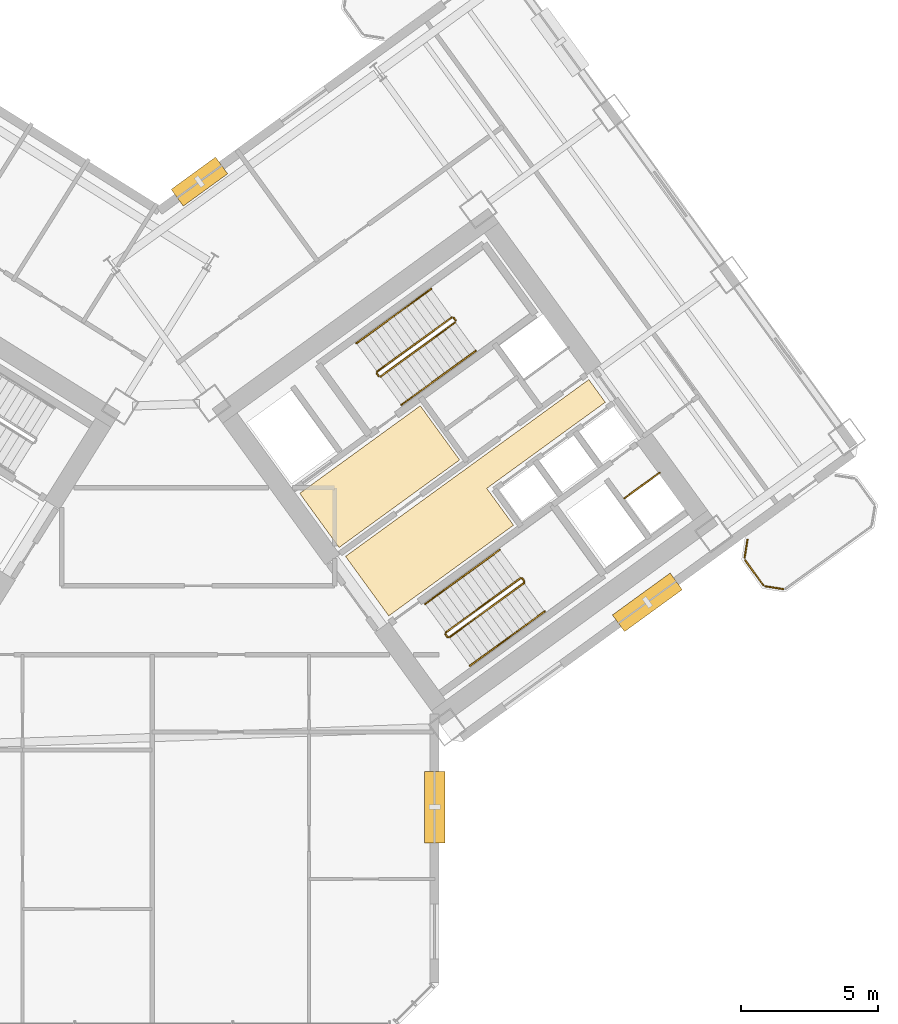
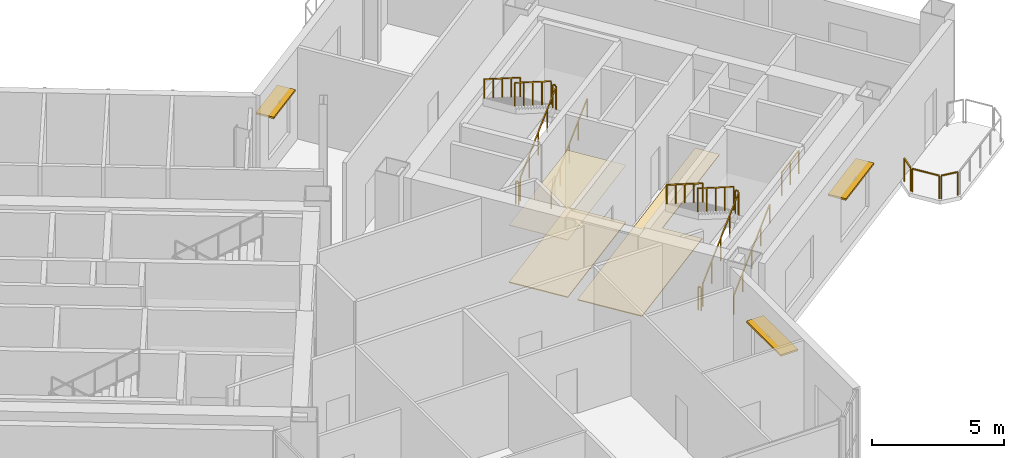
# One storey, part 18 of 19: 20 railings, 3 coverings, 3 shading devices.
"""IFC4 building model written with IfcOpenShell, lengths in metres."""

from ifc_helpers import new_model, si_unit, direction, frame, origin, origin_2d, place, context, subcontext, project, spatial, polyline, rectangle, outline, extrude, source, transform, mapped, material, layer, layer_set, type_object, element, save


model = new_model("IFC4")

# Units and contexts
model_context = context("Model", 3, precision=1e-05, world=origin(), true_north=direction((0.0, 1.0)))
body_context = subcontext(model_context, "Body", "Model", "MODEL_VIEW")
ifc_project = project(units=[si_unit("LENGTHUNIT", "METRE"), si_unit("AREAUNIT", "SQUARE_METRE"), si_unit("VOLUMEUNIT", "CUBIC_METRE"), si_unit("PLANEANGLEUNIT", "RADIAN"), si_unit("MASSUNIT", "GRAM", prefix="KILO")], contexts=[model_context])

# Site, building, storey
site_placement = place(None, origin())
site = spatial("IfcSite", under=ifc_project, at=site_placement, CompositionType="ELEMENT")
building_placement = place(site_placement, origin())
building = spatial("IfcBuilding", under=site, at=building_placement, Name="Tlacorven Tower", CompositionType="ELEMENT")
storey_placement = place(building_placement, frame((0.0, 0.0, 76.5)))
storey = spatial("IfcBuildingStorey", under=building, at=storey_placement, Name="L19", CompositionType="ELEMENT", Elevation=76.5)

# Coverings
ifc_material_1 = material(Name="Acoustic mineral-fibre ceiling")
ifc_layer_1 = layer(ifc_material_1, 0.02490234375)
ifc_layer_set_1 = layer_set([ifc_layer_1], Name="Acoustic mineral-fibre ceiling")
covering_type_1 = type_object("IfcCoveringType", Name="CV-CLG-ACST", PredefinedType="CEILING", material=ifc_layer_set_1)
covering_1_placement = place(storey_placement, frame((0.0, 0.0, 2.64990234375)))
element("IfcCovering", 1, at=covering_1_placement, inside=storey, type_object=covering_type_1, Name="L19 Acoustic Suspended Ceiling 3", PredefinedType="CEILING", context=body_context, shape_type="SweptSolid", body=[
    extrude(outline(polyline([(48.760498046875, 19.326171875), (47.326171875, 21.300048828125), (51.71923828125, 24.49169921875), (53.1533203125, 22.517822265625), (48.760498046875, 19.326171875)])), origin(), (0.0, 0.0, 1.0), 0.025146484375),
])
ifc_material_2 = material(Name="Terrazzo and ceramic flooring")
ifc_layer_2 = layer(ifc_material_2, 0.0400390625)
ifc_layer_set_2 = layer_set([ifc_layer_2], Name="Terrazzo and ceramic flooring")
covering_type_2 = type_object("IfcCoveringType", Name="CV-FLR-TERZ", PredefinedType="FLOORING", material=ifc_layer_set_2)
covering_2_placement = place(storey_placement, origin())
element("IfcCovering", 2, at=covering_2_placement, inside=storey, type_object=covering_type_2, Name="L19 Terrazzo Floor Finish 3", PredefinedType="FLOORING", context=body_context, shape_type="SweptSolid", body=[
    extrude(outline(polyline([(48.760498046875, 19.326171875), (47.326171875, 21.300048828125), (51.71923828125, 24.49169921875), (53.1533203125, 22.517822265625), (48.760498046875, 19.326171875)])), origin(), (0.0, 0.0, 1.0), 0.0400390625),
])
covering_3_placement = place(storey_placement, origin())
element("IfcCovering", 3, at=covering_3_placement, inside=storey, type_object=covering_type_2, Name="L19 Terrazzo Floor Finish 4", PredefinedType="FLOORING", context=body_context, shape_type="SweptSolid", body=[
    extrude(outline(polyline([(50.57080078125, 16.834228515625), (48.99560546875, 19.00244140625), (57.8623046875, 25.444580078125), (58.4619140625, 24.619384765625), (54.141845703125, 21.480712890625), (55.117431640625, 20.1376953125), (50.57080078125, 16.834228515625)])), origin(), (0.0, 0.0, 1.0), 0.0400390625),
])

# Railings
ifc_material_3 = material(Name="Aluminium and painted steel balustrade", Category="steel")
railing_type_1 = type_object("IfcRailingType", Name="RL-GRD-1100", PredefinedType="GUARDRAIL", material=ifc_material_3)
shared_shape_1 = source(origin(), body_context, "Body", "SweptSolid", [
    extrude(rectangle(XDim=0.048095703125, YDim=0.048095703125, at=origin_2d()), frame((0.0, 0.0, 1.076171875), z_axis=(0.809029975545, 0.58776738483, 0.0), x_axis=(-0.58776738483, 0.809029975545, 0.0)), (0.0, 0.0, 1.0), 1.580078125),
    extrude(rectangle(XDim=0.0419921875, YDim=0.0419921875, at=origin_2d()), origin(), (0.0, 0.0, 1.0), 1.052001953125),
    extrude(rectangle(XDim=0.0419921875, YDim=0.0419921875, at=origin_2d()), frame((0.63916015625, 0.46435546875, 0.0)), (0.0, 0.0, 1.0), 1.052001953125),
    extrude(rectangle(XDim=0.0419921875, YDim=0.0419921875, at=origin_2d()), frame((1.2783203125, 0.9287109375, 0.0)), (0.0, 0.0, 1.0), 1.052001953125),
])
railing_1_placement = place(storey_placement, frame((59.160888671875, 21.122314453125, 0.0)))
element("IfcRailing", 4, at=railing_1_placement, inside=storey, type_object=railing_type_1, Name="L19 Smoke Riser E Shaft Guard 1", PredefinedType="GUARDRAIL", context=body_context, shape_type="MappedRepresentation", body=[
    mapped(shared_shape_1, transform((0.0, 0.0, 0.0), scale=1.0)),
])
railing_type_2 = type_object("IfcRailingType", Name="RL-BAL-1100", PredefinedType="BALUSTRADE", material=ifc_material_3)
shared_shape_2 = source(origin(), body_context, "Body", "SweptSolid", [
    extrude(rectangle(XDim=0.048095703125, YDim=0.048095703125, at=origin_2d()), frame((0.0, 0.0, 1.076171875), z_axis=(0.156602868908, 0.987661653326, 0.0), x_axis=(-0.987661653326, 0.156602868908, 0.0)), (0.0, 0.0, 1.0), 0.665771484375),
    extrude(rectangle(XDim=0.0419921875, YDim=0.0419921875, at=origin_2d()), origin(), (0.0, 0.0, 1.0), 1.052001953125),
    extrude(rectangle(XDim=0.0419921875, YDim=0.0419921875, at=origin_2d()), frame((0.104248046875, 0.657470703125, 0.0)), (0.0, 0.0, 1.0), 1.052001953125),
])
railing_2_placement = place(storey_placement, frame((63.539306640625, 18.949951171875, 0.0)))
element("IfcRailing", 5, at=railing_2_placement, inside=storey, type_object=railing_type_2, Name="BAL-L19-E-OUT Guard Railing 3", PredefinedType="BALUSTRADE", context=body_context, shape_type="MappedRepresentation", body=[
    mapped(shared_shape_2, transform((0.0, 0.0, 0.0), scale=1.0)),
])
shared_shape_3 = source(origin(), body_context, "Body", "SweptSolid", [
    extrude(rectangle(XDim=0.048095703125, YDim=0.048095703125, at=origin_2d()), frame((0.0, 0.0, 1.076171875), z_axis=(-0.987718317463, 0.156245081039, 0.0), x_axis=(-0.156245081039, -0.987718317463, 0.0)), (0.0, 0.0, 1.0), 0.66552734375),
    extrude(rectangle(XDim=0.0419921875, YDim=0.0419921875, at=origin_2d()), origin(), (0.0, 0.0, 1.0), 1.052001953125),
    extrude(rectangle(XDim=0.0419921875, YDim=0.0419921875, at=origin_2d()), frame((-0.657470703125, 0.10400390625, 0.0)), (0.0, 0.0, 1.0), 1.052001953125),
])
railing_3_placement = place(storey_placement, frame((64.950927734375, 17.80810546875, 0.0)))
element("IfcRailing", 6, at=railing_3_placement, inside=storey, type_object=railing_type_2, Name="BAL-L19-E-OUT Guard Railing 1", PredefinedType="BALUSTRADE", context=body_context, shape_type="MappedRepresentation", body=[
    mapped(shared_shape_3, transform((0.0, 0.0, 0.0), scale=1.0)),
])
shared_shape_4 = source(origin(), body_context, "Body", "SweptSolid", [
    extrude(rectangle(XDim=0.048095703125, YDim=0.048095703125, at=origin_2d()), frame((0.0, 0.0, 1.076171875), z_axis=(-0.587740817519, 0.809049276263, 0.0), x_axis=(-0.809049276263, -0.587740817519, 0.0)), (0.0, 0.0, 1.0), 1.112060546875),
    extrude(rectangle(XDim=0.0419921875, YDim=0.0419921875, at=origin_2d()), origin(), (0.0, 0.0, 1.0), 1.052001953125),
    extrude(rectangle(XDim=0.0419921875, YDim=0.0419921875, at=origin_2d()), frame((-0.653564453125, 0.899658203125, 0.0)), (0.0, 0.0, 1.0), 1.052001953125),
])
railing_4_placement = place(storey_placement, frame((64.214599609375, 17.96044921875, 0.0)))
element("IfcRailing", 7, at=railing_4_placement, inside=storey, type_object=railing_type_2, Name="BAL-L19-E-OUT Guard Railing 2", PredefinedType="BALUSTRADE", context=body_context, shape_type="MappedRepresentation", body=[
    mapped(shared_shape_4, transform((0.0, 0.0, 0.0), scale=1.0)),
])

# Shading devices
ifc_material_4 = material(Name="Anodised bronze aluminium sunshade", Category="aluminium")
ifc_layer_3 = layer(ifc_material_4, 0.080078125)
ifc_layer_set_3 = layer_set([ifc_layer_3], Name="Anodised bronze aluminium sunshade")
shading_device_type = type_object("IfcShadingDeviceType", Name="SH-SUN-BRZ", PredefinedType="AWNING", material=ifc_layer_set_3)
shared_shape_5 = source(origin(), body_context, "Body", "SweptSolid", [
    extrude(rectangle(XDim=2.60009765625, YDim=0.75, at=origin_2d()), origin(), (0.0, 0.0, 1.0), 0.080078125),
])
for number, where, z_axis, x_axis, name in (
    (8, (59.995361328125, 17.328369140625, 2.719970703125), (0.0, 0.0, 1.0), (-0.809016829126, -0.587785479738, 0.0), "L19 Solar Brise-Soleil Sunshade L19-06.1"),
    (9, (52.239990234375, 9.861572265625, 2.719970703125), (0.0, 0.0, 1.0), (0.0, -1.0, 0.0), "L19 Solar Brise-Soleil Sunshade L19-07.1"),
):
    element("IfcShadingDevice", number, at=place(storey_placement, frame(where, z_axis=z_axis, x_axis=x_axis)), inside=storey, type_object=shading_device_type, Name=name, PredefinedType="AWNING", context=body_context, shape_type="MappedRepresentation", body=[
        mapped(shared_shape_5, transform((0.0, 0.0, 0.0), scale=1.0)),
    ])
shared_shape_6 = source(origin(), body_context, "Body", "SweptSolid", [
    extrude(rectangle(XDim=2.0, YDim=0.75, at=origin_2d()), origin(), (0.0, 0.0, 1.0), 0.080078125),
])
shading_device_placement = place(storey_placement, frame((43.6708984375, 32.661376953125, 2.719970703125), z_axis=(0.0, 0.0, 1.0), x_axis=(0.809016703631, 0.587785652468, 0.0)))
element("IfcShadingDevice", 10, at=shading_device_placement, inside=storey, type_object=shading_device_type, Name="L19 Solar Brise-Soleil Sunshade L19-04.1", PredefinedType="AWNING", context=body_context, shape_type="MappedRepresentation", body=[
    mapped(shared_shape_6, transform((0.0, 0.0, 0.0), scale=1.0)),
])

# Railings
shared_shape_7 = source(origin(), body_context, "Body", "SweptSolid", [
    extrude(rectangle(XDim=0.048095703125, YDim=0.048095703125, at=origin_2d()), frame((0.0, 0.0, 1.076171875), z_axis=(-0.587567097037, 0.809175448515, 0.0), x_axis=(-0.809175448515, -0.587567097037, 0.0)), (0.0, 0.0, 1.0), 0.1201171875),
    extrude(rectangle(XDim=0.0419921875, YDim=0.0419921875, at=origin_2d()), origin(), (0.0, 0.0, 1.0), 1.052001953125),
    extrude(rectangle(XDim=0.0419921875, YDim=0.0419921875, at=origin_2d()), frame((-0.070556640625, 0.09716796875, 0.0)), (0.0, 0.0, 1.0), 1.052001953125),
])
for number, where, name in (
    (11, (53.006591796875, 27.6025390625, 2.25), "L19 ST-E1 stair guard 2"),
    (12, (55.510498046875, 18.099365234375, 2.25), "L19 ST-E2 stair guard 2"),
    (13, (52.71142578125, 16.065673828125, 0.0), "L19 ST-E2 stair guard 4"),
):
    element("IfcRailing", number, at=place(storey_placement, frame(where)), inside=storey, type_object=railing_type_1, Name=name, PredefinedType="GUARDRAIL", context=body_context, shape_type="MappedRepresentation", body=[
        mapped(shared_shape_7, transform((0.0, 0.0, 0.0), scale=1.0)),
    ])
shared_shape_8 = source(origin(), body_context, "Body", "SweptSolid", [
    extrude(rectangle(XDim=0.048095703125, YDim=0.048095703125, at=origin_2d()), frame((0.0, 0.0, 1.076171875), z_axis=(-0.587201422542, 0.809440849824, 0.0), x_axis=(-0.809440849824, -0.587201422542, 0.0)), (0.0, 0.0, 1.0), 0.11962890625),
    extrude(rectangle(XDim=0.0419921875, YDim=0.0419921875, at=origin_2d()), origin(), (0.0, 0.0, 1.0), 1.052001953125),
    extrude(rectangle(XDim=0.0419921875, YDim=0.0419921875, at=origin_2d()), frame((-0.0703125, 0.096923828125, 0.0)), (0.0, 0.0, 1.0), 1.052001953125),
])
railing_5_placement = place(storey_placement, frame((50.207275390625, 25.56884765625, 0.0)))
element("IfcRailing", 14, at=railing_5_placement, inside=storey, type_object=railing_type_1, Name="L19 ST-E1 stair guard 4", PredefinedType="GUARDRAIL", context=body_context, shape_type="MappedRepresentation", body=[
    mapped(shared_shape_8, transform((0.0, 0.0, 0.0), scale=1.0)),
])
shared_shape_9 = source(origin(), body_context, "Body", "SweptSolid", [
    extrude(rectangle(XDim=0.048095703125, YDim=0.048095703125, at=origin_2d()), frame((0.0, 0.0, 1.076171875), z_axis=(0.688166980386, 0.499962520599, 0.525798141023), x_axis=(-0.587769819143, 0.809028206989, 0.0)), (0.0, 0.0, 1.0), 3.949951171875),
    extrude(rectangle(XDim=0.0419921875, YDim=0.0419921875, at=origin_2d()), origin(), (0.0, 0.0, 1.0), 1.052001953125),
    extrude(rectangle(XDim=0.0419921875, YDim=0.0419921875, at=origin_2d()), frame((0.6796875, 0.49365234375, 0.519287109375)), (0.0, 0.0, 1.0), 1.052001953125),
    extrude(rectangle(XDim=0.0419921875, YDim=0.0419921875, at=origin_2d()), frame((1.359130859375, 0.9873046875, 1.03857421875)), (0.0, 0.0, 1.0), 1.052001953125),
    extrude(rectangle(XDim=0.0419921875, YDim=0.0419921875, at=origin_2d()), frame((2.03857421875, 1.481201171875, 1.5576171875)), (0.0, 0.0, 1.0), 1.052001953125),
    extrude(rectangle(XDim=0.0419921875, YDim=0.0419921875, at=origin_2d()), frame((2.71826171875, 1.974853515625, 2.076904296875)), (0.0, 0.0, 1.0), 1.052001953125),
])
for number, where, name in (
    (15, (50.27734375, 25.557861328125, 0.173095703125), "L19 ST-E1 stair guard 1"),
    (16, (52.78125, 16.0546875, 0.173095703125), "L19 ST-E2 stair guard 1"),
):
    element("IfcRailing", number, at=place(storey_placement, frame(where)), inside=storey, type_object=railing_type_1, Name=name, PredefinedType="GUARDRAIL", context=body_context, shape_type="MappedRepresentation", body=[
        mapped(shared_shape_9, transform((0.0, 0.0, 0.0), scale=1.0)),
    ])
shared_shape_10 = source(origin(), body_context, "Body", "SweptSolid", [
    extrude(rectangle(XDim=0.048095703125, YDim=0.048095703125, at=origin_2d()), frame((0.0, 0.0, 1.076171875), z_axis=(-0.688166980386, -0.499962520599, 0.525798141023), x_axis=(0.587769819143, -0.809028206989, 0.0)), (0.0, 0.0, 1.0), 3.949951171875),
    extrude(rectangle(XDim=0.0419921875, YDim=0.0419921875, at=origin_2d()), origin(), (0.0, 0.0, 1.0), 1.052001953125),
    extrude(rectangle(XDim=0.0419921875, YDim=0.0419921875, at=origin_2d()), frame((-0.6796875, -0.49365234375, 0.519287109375)), (0.0, 0.0, 1.0), 1.052001953125),
    extrude(rectangle(XDim=0.0419921875, YDim=0.0419921875, at=origin_2d()), frame((-1.359130859375, -0.9873046875, 1.03857421875)), (0.0, 0.0, 1.0), 1.052001953125),
    extrude(rectangle(XDim=0.0419921875, YDim=0.0419921875, at=origin_2d()), frame((-2.03857421875, -1.481201171875, 1.5576171875)), (0.0, 0.0, 1.0), 1.052001953125),
    extrude(rectangle(XDim=0.0419921875, YDim=0.0419921875, at=origin_2d()), frame((-2.71826171875, -1.974853515625, 2.076904296875)), (0.0, 0.0, 1.0), 1.052001953125),
])
for number, where, name in (
    (17, (52.8662109375, 27.710693359375, 2.423095703125), "L19 ST-E1 stair guard 3"),
    (18, (55.3701171875, 18.20751953125, 2.423095703125), "L19 ST-E2 stair guard 3"),
):
    element("IfcRailing", number, at=place(storey_placement, frame(where)), inside=storey, type_object=railing_type_1, Name=name, PredefinedType="GUARDRAIL", context=body_context, shape_type="MappedRepresentation", body=[
        mapped(shared_shape_10, transform((0.0, 0.0, 0.0), scale=1.0)),
    ])
railing_type_3 = type_object("IfcRailingType", Name="RL-HND-0900", PredefinedType="HANDRAIL", material=ifc_material_3)
shared_shape_11 = source(origin(), body_context, "Body", "SweptSolid", [
    extrude(rectangle(XDim=0.048095703125, YDim=0.048095703125, at=origin_2d()), frame((0.0, 0.0, 0.8759765625), z_axis=(0.688123352181, 0.499992627909, 0.525826610414), x_axis=(-0.587817375869, 0.808993654256, 0.0)), (0.0, 0.0, 1.0), 1.97509765625),
    extrude(rectangle(XDim=0.0419921875, YDim=0.0419921875, at=origin_2d()), origin(), (0.0, 0.0, 1.0), 0.851806640625),
    extrude(rectangle(XDim=0.0419921875, YDim=0.0419921875, at=origin_2d()), frame((0.6796875, 0.49365234375, 0.519287109375)), (0.0, 0.0, 1.0), 0.851806640625),
    extrude(rectangle(XDim=0.0419921875, YDim=0.0419921875, at=origin_2d()), frame((1.359130859375, 0.987548828125, 1.03857421875)), (0.0, 0.0, 1.0), 0.851806640625),
])
railing_6_placement = place(storey_placement, frame((54.892822265625, 16.006591796875, 1.21142578125)))
element("IfcRailing", 19, at=railing_6_placement, inside=storey, type_object=railing_type_3, Name="L19 ST-E2 stair handrail 2", PredefinedType="HANDRAIL", context=body_context, shape_type="MappedRepresentation", body=[
    mapped(shared_shape_11, transform((0.0, 0.0, 0.0), scale=1.0)),
])
shared_shape_12 = source(origin(), body_context, "Body", "SweptSolid", [
    extrude(rectangle(XDim=0.048095703125, YDim=0.048095703125, at=origin_2d()), frame((0.0, 0.0, 0.8759765625), z_axis=(-0.688123352181, -0.499992627909, 0.525826610414), x_axis=(0.587817375869, -0.808993654256, 0.0)), (0.0, 0.0, 1.0), 1.97509765625),
    extrude(rectangle(XDim=0.0419921875, YDim=0.0419921875, at=origin_2d()), origin(), (0.0, 0.0, 1.0), 0.851806640625),
    extrude(rectangle(XDim=0.0419921875, YDim=0.0419921875, at=origin_2d()), frame((-0.6796875, -0.49365234375, 0.519287109375)), (0.0, 0.0, 1.0), 0.851806640625),
    extrude(rectangle(XDim=0.0419921875, YDim=0.0419921875, at=origin_2d()), frame((-1.359130859375, -0.987548828125, 1.03857421875)), (0.0, 0.0, 1.0), 0.851806640625),
])
for number, where, name in (
    (20, (50.754638671875, 27.7587890625, 3.46142578125), "L19 ST-E1 stair handrail 4"),
    (21, (53.2587890625, 18.255615234375, 3.46142578125), "L19 ST-E2 stair handrail 4"),
):
    element("IfcRailing", number, at=place(storey_placement, frame(where)), inside=storey, type_object=railing_type_3, Name=name, PredefinedType="HANDRAIL", context=body_context, shape_type="MappedRepresentation", body=[
        mapped(shared_shape_12, transform((0.0, 0.0, 0.0), scale=1.0)),
    ])
shared_shape_13 = source(origin(), body_context, "Body", "SweptSolid", [
    extrude(rectangle(XDim=0.048095703125, YDim=0.048095703125, at=origin_2d()), frame((0.0, 0.0, 0.8759765625), z_axis=(-0.688168076653, -0.500025124854, 0.525737170829), x_axis=(0.587817375869, -0.808993654256, 0.0)), (0.0, 0.0, 1.0), 1.97509765625),
    extrude(rectangle(XDim=0.0419921875, YDim=0.0419921875, at=origin_2d()), origin(), (0.0, 0.0, 1.0), 0.851806640625),
    extrude(rectangle(XDim=0.0419921875, YDim=0.0419921875, at=origin_2d()), frame((-0.6796875, -0.49365234375, 0.51904296875)), (0.0, 0.0, 1.0), 0.851806640625),
    extrude(rectangle(XDim=0.0419921875, YDim=0.0419921875, at=origin_2d()), frame((-1.359130859375, -0.987548828125, 1.038330078125)), (0.0, 0.0, 1.0), 0.851806640625),
])
for number, where, name in (
    (22, (52.11376953125, 28.746337890625, 2.423095703125), "L19 ST-E1 stair handrail 3"),
    (23, (54.617919921875, 19.2431640625, 2.423095703125), "L19 ST-E2 stair handrail 3"),
):
    element("IfcRailing", number, at=place(storey_placement, frame(where)), inside=storey, type_object=railing_type_3, Name=name, PredefinedType="HANDRAIL", context=body_context, shape_type="MappedRepresentation", body=[
        mapped(shared_shape_13, transform((0.0, 0.0, 0.0), scale=1.0)),
    ])
shared_shape_14 = source(origin(), body_context, "Body", "SweptSolid", [
    extrude(rectangle(XDim=0.048095703125, YDim=0.048095703125, at=origin_2d()), frame((0.0, 0.0, 0.8759765625), z_axis=(0.688168076653, 0.500025124854, 0.525737170829), x_axis=(-0.587817375869, 0.808993654256, 0.0)), (0.0, 0.0, 1.0), 1.97509765625),
    extrude(rectangle(XDim=0.0419921875, YDim=0.0419921875, at=origin_2d()), origin(), (0.0, 0.0, 1.0), 0.851806640625),
    extrude(rectangle(XDim=0.0419921875, YDim=0.0419921875, at=origin_2d()), frame((0.6796875, 0.49365234375, 0.51904296875)), (0.0, 0.0, 1.0), 0.851806640625),
    extrude(rectangle(XDim=0.0419921875, YDim=0.0419921875, at=origin_2d()), frame((1.359130859375, 0.987548828125, 1.038330078125)), (0.0, 0.0, 1.0), 0.851806640625),
])
for number, where, name in (
    (24, (51.029541015625, 24.522216796875, 0.173095703125), "L19 ST-E1 stair handrail 1"),
    (25, (53.53369140625, 15.01904296875, 0.173095703125), "L19 ST-E2 stair handrail 1"),
):
    element("IfcRailing", number, at=place(storey_placement, frame(where)), inside=storey, type_object=railing_type_3, Name=name, PredefinedType="HANDRAIL", context=body_context, shape_type="MappedRepresentation", body=[
        mapped(shared_shape_14, transform((0.0, 0.0, 0.0), scale=1.0)),
    ])
shared_shape_15 = source(origin(), body_context, "Body", "SweptSolid", [
    extrude(rectangle(XDim=0.048095703125, YDim=0.048095703125, at=origin_2d()), frame((0.0, 0.0, 0.8759765625), z_axis=(0.688165878867, 0.499899912725, 0.525859107006), x_axis=(-0.587722256323, 0.809062759879, 0.0)), (0.0, 0.0, 1.0), 1.97509765625),
    extrude(rectangle(XDim=0.0419921875, YDim=0.0419921875, at=origin_2d()), origin(), (0.0, 0.0, 1.0), 0.851806640625),
    extrude(rectangle(XDim=0.0419921875, YDim=0.0419921875, at=origin_2d()), frame((0.6796875, 0.49365234375, 0.519287109375)), (0.0, 0.0, 1.0), 0.851806640625),
    extrude(rectangle(XDim=0.0419921875, YDim=0.0419921875, at=origin_2d()), frame((1.359130859375, 0.9873046875, 1.03857421875)), (0.0, 0.0, 1.0), 0.851806640625),
])
railing_7_placement = place(storey_placement, frame((52.388671875, 25.509765625, 1.21142578125)))
element("IfcRailing", 26, at=railing_7_placement, inside=storey, type_object=railing_type_3, Name="L19 ST-E1 stair handrail 2", PredefinedType="HANDRAIL", context=body_context, shape_type="MappedRepresentation", body=[
    mapped(shared_shape_15, transform((0.0, 0.0, 0.0), scale=1.0)),
])

save(model, "model.ifc")
